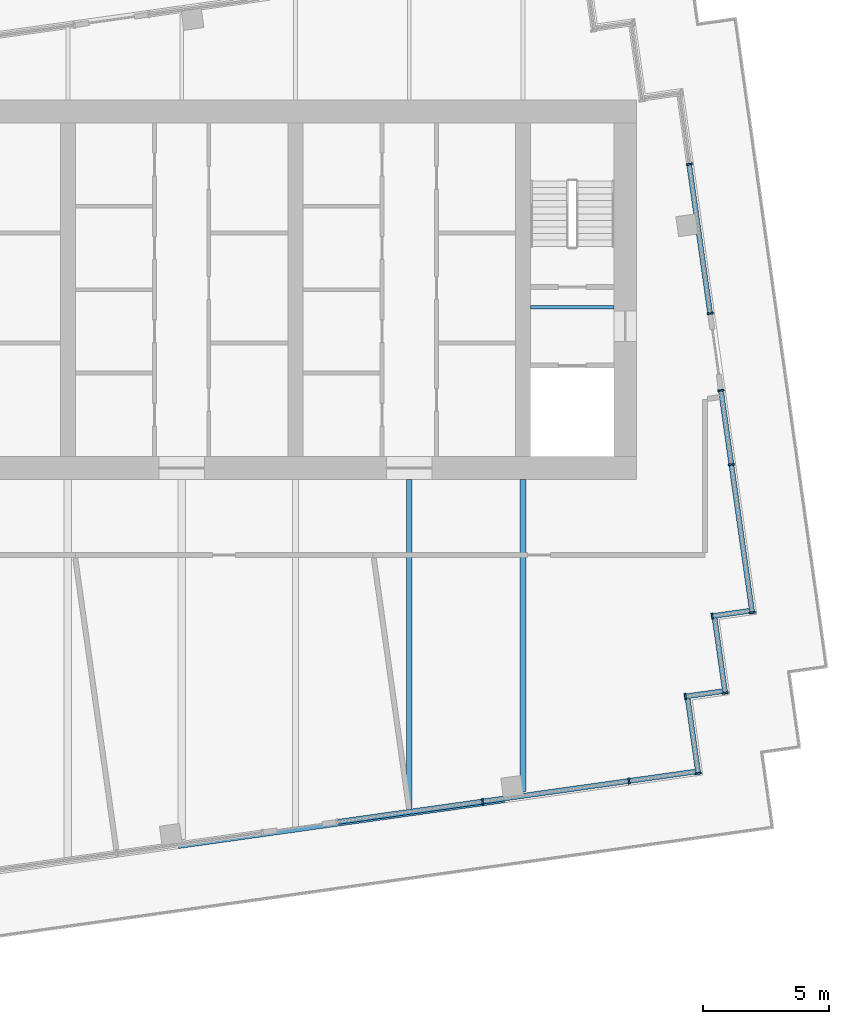
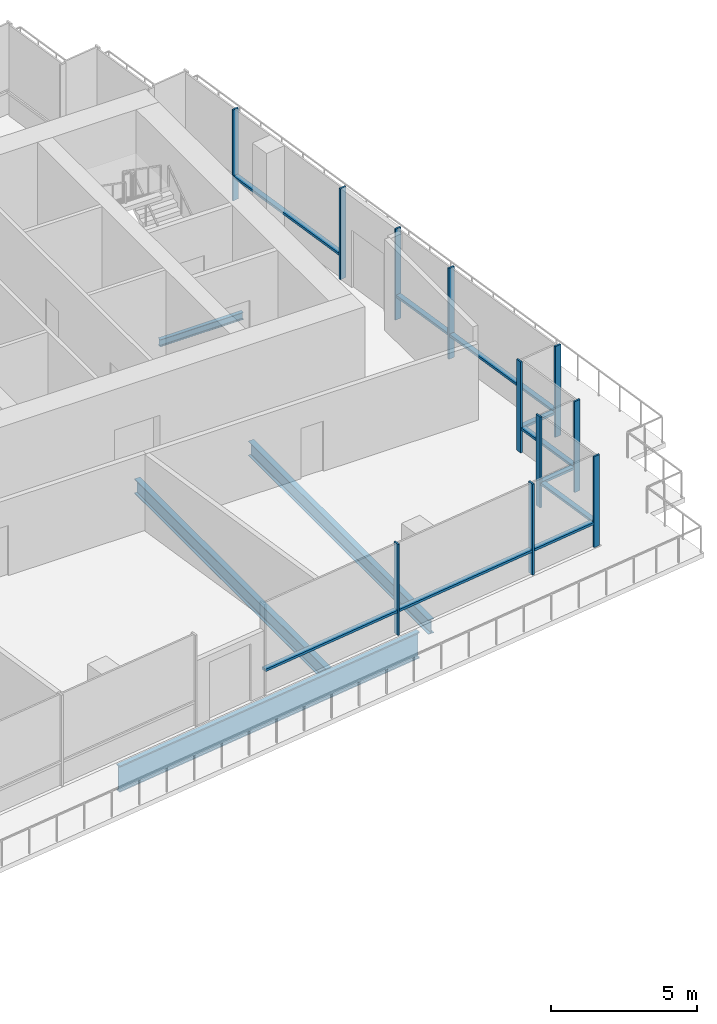
# One storey, part 3 of 12: 21 members, 4 beams, 7 elements without a shape of their own.
"""IFC4 building model written with IfcOpenShell, lengths in metres."""

from ifc_helpers import new_model, si_unit, direction, frame, origin, origin_2d, place, context, subcontext, project, spatial, rectangle, i_section, extrude, material, layer, layer_set, material_profile, profile_set, type_object, element, aggregate, save


model = new_model("IFC4")

# Units and contexts
model_context = context("Model", 3, precision=1e-05, world=origin(), true_north=direction((0.0, 1.0)))
body_context = subcontext(model_context, "Body", "Model", "MODEL_VIEW")
ifc_project = project(units=[si_unit("LENGTHUNIT", "METRE"), si_unit("AREAUNIT", "SQUARE_METRE"), si_unit("VOLUMEUNIT", "CUBIC_METRE"), si_unit("PLANEANGLEUNIT", "RADIAN"), si_unit("MASSUNIT", "GRAM", prefix="KILO")], contexts=[model_context])

# Site, building, storey
site_placement = place(None, origin())
site = spatial("IfcSite", under=ifc_project, at=site_placement, CompositionType="ELEMENT")
building_placement = place(site_placement, origin())
building = spatial("IfcBuilding", under=site, at=building_placement, Name="Rattan Terrace Tower", CompositionType="ELEMENT")
storey_placement = place(building_placement, frame((0.0, 0.0, 292.300048828125)))
storey = spatial("IfcBuildingStorey", under=building, at=storey_placement, Name="C01", CompositionType="ELEMENT", Elevation=292.300048828125)

# Beams
ifc_material_1 = material(Name="Steel S460", Category="steel")
ifc_material_profile_1 = material_profile(ifc_material_1, i_section(OverallWidth=0.179931640625, OverallDepth=1.10009765625, WebThickness=0.01611328125, FlangeThickness=0.050048828125, at=origin_2d()), Name="PG 1100x180-16-50")
ifc_profile_set_1 = profile_set([ifc_material_profile_1], Name="Steel S460")
beam_type_1 = type_object("IfcBeamType", Name="Frame edge girder PG 1100x180-16-50", PredefinedType="SPANDREL", material=ifc_profile_set_1)
beam_1_placement = place(storey_placement, frame((-0.1298828125, -22.01904296875, -0.75), z_axis=(0.990267801726, 0.139175000863, 0.0), x_axis=(-0.139175000863, 0.990267801726, 0.0)))
element("IfcBeam", 1, at=beam_1_placement, inside=storey, type_object=beam_type_1, Name="gdr-C01-002", PredefinedType="SPANDREL", context=body_context, shape_type="SweptSolid", body=[
    extrude(i_section(OverallWidth=0.179931640625, OverallDepth=1.10009765625, WebThickness=0.01611328125, FlangeThickness=0.050048828125, at=origin_2d()), origin(), (0.0, 0.0, 1.0), 13.026611328125),
])
ifc_material_2 = material(Name="Steel S355", Category="steel")
ifc_material_profile_2 = material_profile(ifc_material_2, i_section(OverallWidth=0.14990234375, OverallDepth=0.300048828125, WebThickness=0.007080078125, FlangeThickness=0.0107421875, FilletRadius=0.014892578125, at=origin_2d()), Name="IPE 300")
ifc_profile_set_2 = profile_set([ifc_material_profile_2], Name="Steel S355")
beam_type_2 = type_object("IfcBeamType", Name="Frame floor beam IPE 300", PredefinedType="JOIST", material=ifc_profile_set_2)
beam_2_placement = place(storey_placement, frame((13.800048828125, -0.695068359375, -0.35009765625), z_axis=(1.0, 0.0, 0.0), x_axis=(0.0, 1.0, 0.0)))
element("IfcBeam", 2, at=beam_2_placement, inside=storey, type_object=beam_type_2, Name="bm-C01-002", PredefinedType="JOIST", context=body_context, shape_type="SweptSolid", body=[
    extrude(i_section(OverallWidth=0.14990234375, OverallDepth=0.300048828125, WebThickness=0.007080078125, FlangeThickness=0.0107421875, FilletRadius=0.014892578125, at=origin_2d()), origin(), (0.0, 0.0, 1.0), 3.300048828125),
])
ifc_material_3 = material(Name="Steel S355", Category="steel")
ifc_material_profile_3 = material_profile(ifc_material_3, i_section(OverallWidth=0.219970703125, OverallDepth=0.60009765625, WebThickness=0.011962890625, FlangeThickness=0.01904296875, FilletRadius=0.02392578125, at=origin_2d()), Name="IPE 600")
ifc_profile_set_3 = profile_set([ifc_material_profile_3], Name="Steel S355")
beam_type_3 = type_object("IfcBeamType", Name="Frame floor beam IPE 600", PredefinedType="JOIST", material=ifc_profile_set_3)
beam_3_placement = place(storey_placement, frame((13.5, -19.846923828125, -0.5), z_axis=(0.0, 1.0, 0.0), x_axis=(-1.0, 0.0, 0.0)))
element("IfcBeam", 3, at=beam_3_placement, inside=storey, type_object=beam_type_3, Name="bm-C01-008", PredefinedType="JOIST", context=body_context, shape_type="SweptSolid", body=[
    extrude(i_section(OverallWidth=0.219970703125, OverallDepth=0.60009765625, WebThickness=0.011962890625, FlangeThickness=0.01904296875, FilletRadius=0.02392578125, at=origin_2d()), origin(), (0.0, 0.0, 1.0), 12.346923828125),
])
ifc_material_4 = material(Name="Steel S355", Category="steel")
ifc_material_profile_4 = material_profile(ifc_material_4, i_section(OverallWidth=0.22412109375, OverallDepth=0.610107421875, WebThickness=0.014892578125, FlangeThickness=0.02392578125, FilletRadius=0.02392578125, at=origin_2d()), Name="IPE O 600")
ifc_profile_set_4 = profile_set([ifc_material_profile_4], Name="Steel S355")
beam_type_4 = type_object("IfcBeamType", Name="Frame floor beam IPE O 600", PredefinedType="JOIST", material=ifc_profile_set_4)
beam_4_placement = place(storey_placement, frame((9.0, -20.64501953125, -0.505126953125), z_axis=(0.0, 1.0, 0.0), x_axis=(-1.0, 0.0, 0.0)))
element("IfcBeam", 4, at=beam_4_placement, inside=storey, type_object=beam_type_4, Name="bm-C01-007", PredefinedType="JOIST", context=body_context, shape_type="SweptSolid", body=[
    extrude(i_section(OverallWidth=0.22412109375, OverallDepth=0.610107421875, WebThickness=0.014892578125, FlangeThickness=0.02392578125, FilletRadius=0.02392578125, at=origin_2d()), origin(), (0.0, 0.0, 1.0), 13.14501953125),
])

# Curtain wall, members
ifc_material_5 = material(Name="Aluminium and laminated glass", Category="aluminium")
ifc_layer = layer(ifc_material_5, 0.239990234375)
ifc_layer_set = layer_set([ifc_layer], Name="Lantern Stick Curtain Wall")
curtain_wall_type = type_object("IfcCurtainWallType", Name="Lantern Stick Curtain Wall", PredefinedType="NOTDEFINED", material=ifc_layer_set)
curtain_wall_1_placement = place(storey_placement, origin())
curtain_wall_1 = element("IfcCurtainWall", 5, at=curtain_wall_1_placement, inside=storey, type_object=curtain_wall_type, Name="Lantern curtain wall C01-9", PredefinedType="NOTDEFINED")
ifc_material_6 = material(Name="Aluminium", Category="aluminium")
ifc_material_profile_5 = material_profile(ifc_material_6, rectangle(XDim=0.070068359375, YDim=0.239990234375, at=origin_2d()), Name="Aluminium 70x240")
ifc_profile_set_5 = profile_set([ifc_material_profile_5], Name="Aluminium")
member_type_1 = type_object("IfcMemberType", Name="Lantern CW Mullion 70x240", PredefinedType="MULLION", material=ifc_profile_set_5)
member_1_placement = place(storey_placement, frame((11.90283203125, -20.247314453125, 0.0), z_axis=(0.0, 0.0, 1.0), x_axis=(0.990266952226, 0.13918104515, 0.0)))
member_1 = element("IfcMember", 6, at=member_1_placement, type_object=member_type_1, Name="Mullion cwl-C01-009.2", PredefinedType="MULLION", context=body_context, shape_type="SweptSolid", body=[
    extrude(rectangle(XDim=0.070068359375, YDim=0.239990234375, at=origin_2d()), origin(), (0.0, 0.0, 1.0), 3.800048828125),
])
member_2_placement = place(storey_placement, frame((17.69189453125, -19.433837890625, 0.0), z_axis=(0.0, 0.0, 1.0), x_axis=(0.990266952226, 0.13918104515, 0.0)))
member_2 = element("IfcMember", 7, at=member_2_placement, type_object=member_type_1, Name="Mullion cwl-C01-009.3", PredefinedType="MULLION", context=body_context, shape_type="SweptSolid", body=[
    extrude(rectangle(XDim=0.070068359375, YDim=0.239990234375, at=origin_2d()), origin(), (0.0, 0.0, 1.0), 3.800048828125),
])

# Curtain wall, member
curtain_wall_2_placement = place(storey_placement, origin())
curtain_wall_2 = element("IfcCurtainWall", 8, at=curtain_wall_2_placement, inside=storey, type_object=curtain_wall_type, Name="Lantern curtain wall C01-10", PredefinedType="NOTDEFINED")
member_3_placement = place(storey_placement, frame((20.431884765625, -19.134521484375, 0.0), z_axis=(0.0, 0.0, 1.0), x_axis=(-0.139040257974, 0.990286729519, 0.0)))
member_3 = element("IfcMember", 9, at=member_3_placement, type_object=member_type_1, Name="Mullion cwl-C01-010.1", PredefinedType="MULLION", context=body_context, shape_type="SweptSolid", body=[
    extrude(rectangle(XDim=0.070068359375, YDim=0.239990234375, at=origin_2d()), origin(), (0.0, 0.0, 1.0), 3.800048828125),
])

curtain_wall_3_placement = place(storey_placement, origin())
curtain_wall_3 = element("IfcCurtainWall", 10, at=curtain_wall_3_placement, inside=storey, type_object=curtain_wall_type, Name="Lantern curtain wall C01-11", PredefinedType="NOTDEFINED")
member_4_placement = place(storey_placement, frame((19.9189453125, -16.09228515625, 0.0), z_axis=(0.0, 0.0, 1.0), x_axis=(0.990227803001, 0.139459306479, 0.0)))
member_4 = element("IfcMember", 11, at=member_4_placement, type_object=member_type_1, Name="Mullion cwl-C01-011.1", PredefinedType="MULLION", context=body_context, shape_type="SweptSolid", body=[
    extrude(rectangle(XDim=0.070068359375, YDim=0.239990234375, at=origin_2d()), origin(), (0.0, 0.0, 1.0), 3.800048828125),
])

curtain_wall_4_placement = place(storey_placement, origin())
curtain_wall_4 = element("IfcCurtainWall", 12, at=curtain_wall_4_placement, inside=storey, type_object=curtain_wall_type, Name="Lantern curtain wall C01-12", PredefinedType="NOTDEFINED")
member_5_placement = place(storey_placement, frame((21.498779296875, -15.95556640625, 0.0), z_axis=(0.0, 0.0, 1.0), x_axis=(-0.139367219175, 0.990240767803, 0.0)))
member_5 = element("IfcMember", 13, at=member_5_placement, type_object=member_type_1, Name="Mullion cwl-C01-012.1", PredefinedType="MULLION", context=body_context, shape_type="SweptSolid", body=[
    extrude(rectangle(XDim=0.070068359375, YDim=0.239990234375, at=origin_2d()), origin(), (0.0, 0.0, 1.0), 3.800048828125),
])

curtain_wall_5_placement = place(storey_placement, origin())
curtain_wall_5 = element("IfcCurtainWall", 14, at=curtain_wall_5_placement, inside=storey, type_object=curtain_wall_type, Name="Lantern curtain wall C01-13", PredefinedType="NOTDEFINED")
member_6_placement = place(storey_placement, frame((20.98486328125, -12.9130859375, 0.0), z_axis=(0.0, 0.0, 1.0), x_axis=(0.99025370695, 0.139275252184, 0.0)))
member_6 = element("IfcMember", 15, at=member_6_placement, type_object=member_type_1, Name="Mullion cwl-C01-013.1", PredefinedType="MULLION", context=body_context, shape_type="SweptSolid", body=[
    extrude(rectangle(XDim=0.070068359375, YDim=0.239990234375, at=origin_2d()), origin(), (0.0, 0.0, 1.0), 3.800048828125),
])

# Curtain wall, members
curtain_wall_6_placement = place(storey_placement, origin())
curtain_wall_6 = element("IfcCurtainWall", 16, at=curtain_wall_6_placement, inside=storey, type_object=curtain_wall_type, Name="Lantern curtain wall C01-14", PredefinedType="NOTDEFINED")
member_7_placement = place(storey_placement, frame((22.56689453125, -12.776611328125, 0.0), z_axis=(0.0, 0.0, 1.0), x_axis=(-0.139187707455, 0.990266015823, 0.0)))
member_7 = element("IfcMember", 17, at=member_7_placement, type_object=member_type_1, Name="Mullion cwl-C01-014.1", PredefinedType="MULLION", context=body_context, shape_type="SweptSolid", body=[
    extrude(rectangle(XDim=0.070068359375, YDim=0.239990234375, at=origin_2d()), origin(), (0.0, 0.0, 1.0), 3.800048828125),
])
member_8_placement = place(storey_placement, frame((21.74365234375, -6.919189453125, 0.0), z_axis=(0.0, 0.0, 1.0), x_axis=(-0.139187707455, 0.990266015823, 0.0)))
member_8 = element("IfcMember", 18, at=member_8_placement, type_object=member_type_1, Name="Mullion cwl-C01-014.2", PredefinedType="MULLION", context=body_context, shape_type="SweptSolid", body=[
    extrude(rectangle(XDim=0.070068359375, YDim=0.239990234375, at=origin_2d()), origin(), (0.0, 0.0, 1.0), 3.800048828125),
])
member_9_placement = place(storey_placement, frame((21.330810546875, -3.98291015625, 0.0), z_axis=(0.0, 0.0, 1.0), x_axis=(-0.139187707455, 0.990266015823, 0.0)))
member_9 = element("IfcMember", 19, at=member_9_placement, type_object=member_type_1, Name="Mullion cwl-C01-014.3", PredefinedType="MULLION", context=body_context, shape_type="SweptSolid", body=[
    extrude(rectangle(XDim=0.070068359375, YDim=0.239990234375, at=origin_2d()), origin(), (0.0, 0.0, 1.0), 3.800048828125),
])

curtain_wall_7_placement = place(storey_placement, origin())
curtain_wall_7 = element("IfcCurtainWall", 20, at=curtain_wall_7_placement, inside=storey, type_object=curtain_wall_type, Name="Lantern curtain wall C01-15", PredefinedType="NOTDEFINED")
member_10_placement = place(storey_placement, frame((20.903564453125, -0.94287109375, 0.0), z_axis=(0.0, 0.0, 1.0), x_axis=(-0.139187707455, 0.990266015823, 0.0)))
member_10 = element("IfcMember", 21, at=member_10_placement, type_object=member_type_1, Name="Mullion cwl-C01-015.1", PredefinedType="MULLION", context=body_context, shape_type="SweptSolid", body=[
    extrude(rectangle(XDim=0.070068359375, YDim=0.239990234375, at=origin_2d()), origin(), (0.0, 0.0, 1.0), 3.800048828125),
])
member_11_placement = place(storey_placement, frame((20.0732421875, 4.964111328125, 0.0), z_axis=(0.0, 0.0, 1.0), x_axis=(-0.139187707455, 0.990266015823, 0.0)))
member_11 = element("IfcMember", 22, at=member_11_placement, type_object=member_type_1, Name="Mullion cwl-C01-015.2", PredefinedType="MULLION", context=body_context, shape_type="SweptSolid", body=[
    extrude(rectangle(XDim=0.070068359375, YDim=0.239990234375, at=origin_2d()), origin(), (0.0, 0.0, 1.0), 3.800048828125),
])

# Member
ifc_material_7 = material(Name="Aluminium", Category="aluminium")
ifc_material_profile_6 = material_profile(ifc_material_7, rectangle(XDim=0.199951171875, YDim=0.10009765625, at=origin_2d()), Name="Aluminium 200x100")
ifc_profile_set_6 = profile_set([ifc_material_profile_6], Name="Aluminium")
member_type_2 = type_object("IfcMemberType", Name="Lantern CW Transom 200x100", PredefinedType="USERDEFINED", material=ifc_profile_set_6)
member_12_placement = place(storey_placement, frame((6.18310546875, -21.05126953125, 1.0), z_axis=(0.990265922809, 0.139188369207, 0.0), x_axis=(-0.139188369207, 0.990265922809, 0.0)))
member_12 = element("IfcMember", 23, at=member_12_placement, type_object=member_type_2, Name="Transom cwl-C01-009.1", ObjectType="TRANSOM", PredefinedType="USERDEFINED", context=body_context, shape_type="SweptSolid", body=[
    extrude(rectangle(XDim=0.199951171875, YDim=0.10009765625, at=origin_2d()), origin(), (0.0, 0.0, 1.0), 5.740966796875),
])

member_13_placement = place(storey_placement, frame((11.9375, -20.242431640625, 1.0), z_axis=(0.99027150937, 0.139148617417, 0.0), x_axis=(-0.139148617417, 0.99027150937, 0.0)))
member_13 = element("IfcMember", 24, at=member_13_placement, type_object=member_type_2, Name="Transom cwl-C01-009.2", ObjectType="TRANSOM", PredefinedType="USERDEFINED", context=body_context, shape_type="SweptSolid", body=[
    extrude(rectangle(XDim=0.199951171875, YDim=0.10009765625, at=origin_2d()), origin(), (0.0, 0.0, 1.0), 5.77587890625),
])

member_14_placement = place(storey_placement, frame((17.7265625, -19.428955078125, 1.0), z_axis=(0.990256983473, 0.139251953963, 0.0), x_axis=(-0.139251953963, 0.990256983473, 0.0)))
member_14 = element("IfcMember", 25, at=member_14_placement, type_object=member_type_2, Name="Transom cwl-C01-009.3", ObjectType="TRANSOM", PredefinedType="USERDEFINED", context=body_context, shape_type="SweptSolid", body=[
    extrude(rectangle(XDim=0.199951171875, YDim=0.10009765625, at=origin_2d()), origin(), (0.0, 0.0, 1.0), 2.60009765625),
])

aggregate(curtain_wall_1, [member_1, member_2, member_12, member_13, member_14])

member_15_placement = place(storey_placement, frame((20.427001953125, -19.099853515625, 1.0), z_axis=(-0.139028781454, 0.990288340801, 0.0), x_axis=(-0.990288340801, -0.139028781454, 0.0)))
member_15 = element("IfcMember", 26, at=member_15_placement, type_object=member_type_2, Name="Transom cwl-C01-010.1", ObjectType="TRANSOM", PredefinedType="USERDEFINED", context=body_context, shape_type="SweptSolid", body=[
    extrude(rectangle(XDim=0.199951171875, YDim=0.10009765625, at=origin_2d()), origin(), (0.0, 0.0, 1.0), 2.92919921875),
])

aggregate(curtain_wall_2, [member_3, member_15])

member_16_placement = place(storey_placement, frame((19.95361328125, -16.08740234375, 1.0), z_axis=(0.990227834808, 0.139459080636, 0.0), x_axis=(-0.139459080636, 0.990227834808, 0.0)))
member_16 = element("IfcMember", 27, at=member_16_placement, type_object=member_type_2, Name="Transom cwl-C01-011.1", ObjectType="TRANSOM", PredefinedType="USERDEFINED", context=body_context, shape_type="SweptSolid", body=[
    extrude(rectangle(XDim=0.199951171875, YDim=0.10009765625, at=origin_2d()), origin(), (0.0, 0.0, 1.0), 1.428466796875),
])

aggregate(curtain_wall_3, [member_4, member_16])

member_17_placement = place(storey_placement, frame((21.493896484375, -15.9208984375, 1.0), z_axis=(-0.139355716724, 0.990242386599, 0.0), x_axis=(-0.990242386599, -0.139355716724, 0.0)))
member_17 = element("IfcMember", 28, at=member_17_placement, type_object=member_type_2, Name="Transom cwl-C01-012.1", ObjectType="TRANSOM", PredefinedType="USERDEFINED", context=body_context, shape_type="SweptSolid", body=[
    extrude(rectangle(XDim=0.199951171875, YDim=0.10009765625, at=origin_2d()), origin(), (0.0, 0.0, 1.0), 2.92919921875),
])

aggregate(curtain_wall_4, [member_5, member_17])

member_18_placement = place(storey_placement, frame((21.01953125, -12.908203125, 1.0), z_axis=(0.990257681856, 0.139246987488, 0.0), x_axis=(-0.139246987488, 0.990257681856, 0.0)))
member_18 = element("IfcMember", 29, at=member_18_placement, type_object=member_type_2, Name="Transom cwl-C01-013.1", ObjectType="TRANSOM", PredefinedType="USERDEFINED", context=body_context, shape_type="SweptSolid", body=[
    extrude(rectangle(XDim=0.199951171875, YDim=0.10009765625, at=origin_2d()), origin(), (0.0, 0.0, 1.0), 1.4306640625),
])

aggregate(curtain_wall_5, [member_6, member_18])

member_19_placement = place(storey_placement, frame((22.56201171875, -12.741943359375, 1.0), z_axis=(-0.139216432116, 0.990261977978, 0.0), x_axis=(-0.990261977978, -0.139216432116, 0.0)))
member_19 = element("IfcMember", 30, at=member_19_placement, type_object=member_type_2, Name="Transom cwl-C01-014.1", ObjectType="TRANSOM", PredefinedType="USERDEFINED", context=body_context, shape_type="SweptSolid", body=[
    extrude(rectangle(XDim=0.199951171875, YDim=0.10009765625, at=origin_2d()), origin(), (0.0, 0.0, 1.0), 5.844970703125),
])

member_20_placement = place(storey_placement, frame((21.73876953125, -6.884521484375, 1.0), z_axis=(-0.139225113729, 0.990260757431, 0.0), x_axis=(-0.990260757431, -0.139225113729, 0.0)))
member_20 = element("IfcMember", 31, at=member_20_placement, type_object=member_type_2, Name="Transom cwl-C01-014.2", ObjectType="TRANSOM", PredefinedType="USERDEFINED", context=body_context, shape_type="SweptSolid", body=[
    extrude(rectangle(XDim=0.199951171875, YDim=0.10009765625, at=origin_2d()), origin(), (0.0, 0.0, 1.0), 2.89501953125),
])

aggregate(curtain_wall_6, [member_7, member_8, member_9, member_19, member_20])

member_21_placement = place(storey_placement, frame((20.898681640625, -0.908203125, 1.0), z_axis=(-0.139194548424, 0.99026505426, 0.0), x_axis=(-0.99026505426, -0.139194548424, 0.0)))
member_21 = element("IfcMember", 32, at=member_21_placement, type_object=member_type_2, Name="Transom cwl-C01-015.1", ObjectType="TRANSOM", PredefinedType="USERDEFINED", context=body_context, shape_type="SweptSolid", body=[
    extrude(rectangle(XDim=0.199951171875, YDim=0.10009765625, at=origin_2d()), origin(), (0.0, 0.0, 1.0), 5.89501953125),
])

aggregate(curtain_wall_7, [member_10, member_11, member_21])

save(model, "model.ifc")
